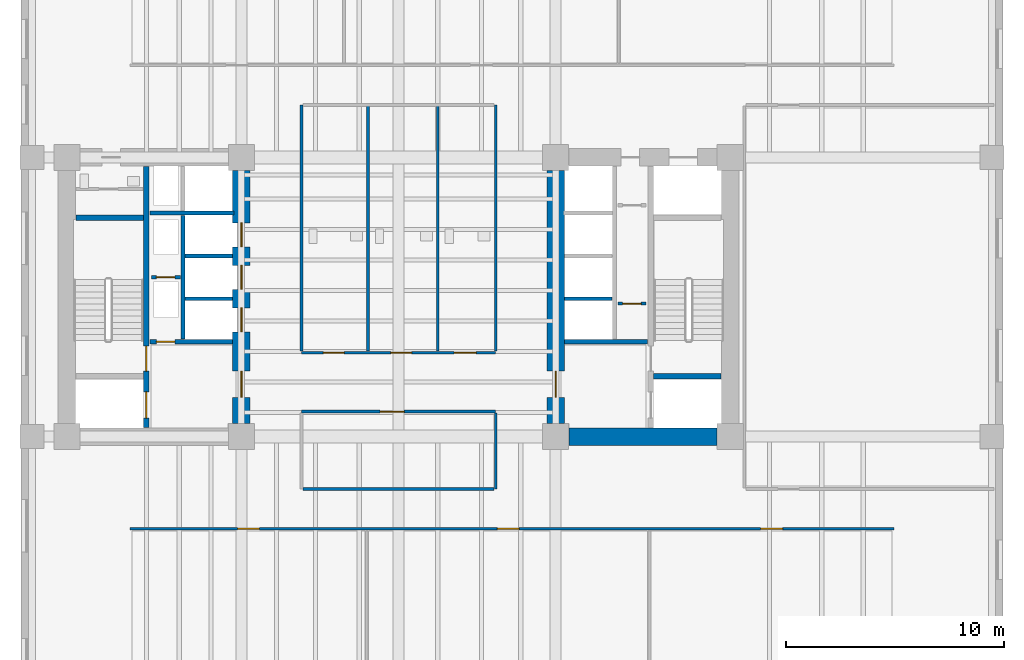
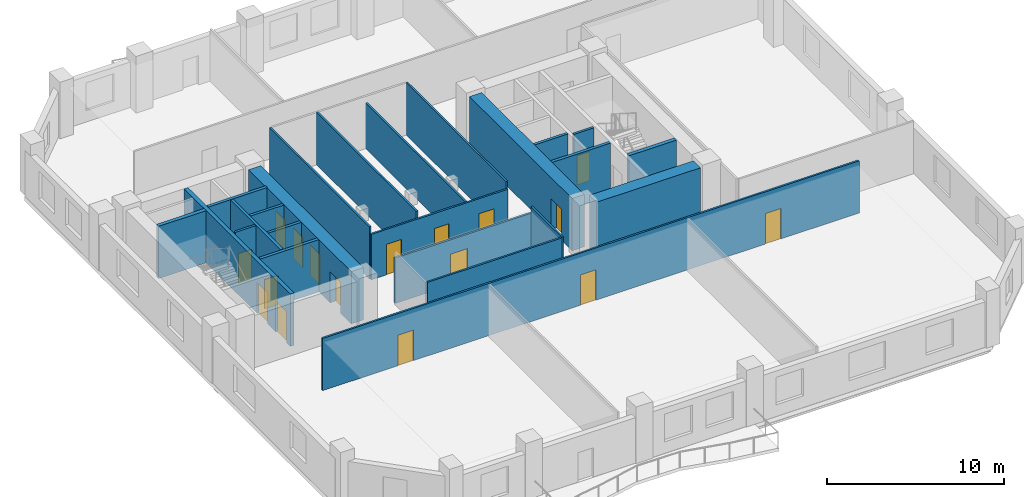
# One storey, part 3 of 9: 24 walls, 17 doors, 17 openings.
"""IFC4 building model written with IfcOpenShell, lengths in metres."""

from ifc_helpers import new_model, si_unit, direction, frame, frame_2d, origin, place, context, subcontext, project, spatial, rectangle, extrude, material, layer, layer_set, type_object, element, fill, save


model = new_model("IFC4")

# Units and contexts
model_context = context("Model", 3, precision=1e-05, world=origin(), true_north=direction((0.0, 1.0)))
body_context = subcontext(model_context, "Body", "Model", "MODEL_VIEW")
ifc_project = project(units=[si_unit("LENGTHUNIT", "METRE"), si_unit("AREAUNIT", "SQUARE_METRE"), si_unit("VOLUMEUNIT", "CUBIC_METRE"), si_unit("PLANEANGLEUNIT", "RADIAN"), si_unit("MASSUNIT", "GRAM", prefix="KILO")], contexts=[model_context])

# Site, building, storey
site_placement = place(None, origin())
site = spatial("IfcSite", under=ifc_project, at=site_placement, CompositionType="ELEMENT")
building_placement = place(site_placement, origin())
building = spatial("IfcBuilding", under=site, at=building_placement, Name="Kranthara Brick Stack", CompositionType="ELEMENT")
storey_placement = place(building_placement, frame((0.0, 0.0, 51.60009765625)))
storey = spatial("IfcBuildingStorey", under=building, at=storey_placement, Name="L12", CompositionType="ELEMENT", Elevation=51.60009765625)

# Wall, openings, doors
ifc_material_1 = material(Name="Concrete C50/60", Category="concrete")
ifc_layer_1 = layer(ifc_material_1, 0.25)
ifc_layer_set_1 = layer_set([ifc_layer_1], Name="Concrete C50/60")
wall_type_1 = type_object("IfcWallType", Name="WL-CORE-250", PredefinedType="SHEAR", material=ifc_layer_set_1)
wall_1_placement = place(storey_placement, frame((16.43505859375, 21.2099609375, 0.0), z_axis=(0.0, 0.0, 1.0), x_axis=(0.0, 1.0, 0.0)))
wall_1 = element("IfcWall", 1, at=wall_1_placement, inside=storey, type_object=wall_type_1, Name="L12 West Core Stair Bearing Spine Wall", PredefinedType="SHEAR", context=body_context, shape_type="SweptSolid", body=[
    extrude(rectangle(XDim=11.97998046875, YDim=0.25, at=frame_2d((5.989990234375, 0.0))), origin(), (0.0, 0.0, 1.0), 3.599853515625),
])
opening_1_placement = place(wall_1_placement, frame((0.43994140625, 0.0, 0.0)))
opening_1 = element("IfcOpeningElement", 2, at=opening_1_placement, cuts=wall_1, Name="Opening LD01", PredefinedType="OPENING", context=body_context, shape_type="SweptSolid", body=[
    extrude(rectangle(XDim=1.199951171875, YDim=2.14990234375, at=frame_2d((0.60009765625, 1.074951171875))), frame((0.0, 0.135009765625, 0.0), z_axis=(0.0, -1.0, 0.0), x_axis=(1.0, 0.0, 0.0)), (0.0, 0.0, 1.0), 0.27001953125),
])
opening_2_placement = place(wall_1_placement, frame((2.590087890625, 0.0, 0.0)))
opening_2 = element("IfcOpeningElement", 3, at=opening_2_placement, cuts=wall_1, Name="Opening D05", PredefinedType="OPENING", context=body_context, shape_type="SweptSolid", body=[
    extrude(rectangle(XDim=1.14990234375, YDim=2.14990234375, at=frame_2d((0.574951171875, 1.074951171875))), frame((0.0, 0.135009765625, 0.0), z_axis=(0.0, -1.0, 0.0), x_axis=(1.0, 0.0, 0.0)), (0.0, 0.0, 1.0), 0.27001953125),
])
ifc_material_2 = material(Name="Stainless steel sliding landing door", Category="steel")
door_type_1 = type_object("IfcDoorType", Name="DR-LD-FF1200", OperationType="DOUBLE_DOOR_SLIDING", PredefinedType="DOOR", material=ifc_material_2)
door_1_placement = place(opening_1_placement, origin())
door_1 = element("IfcDoor", 4, at=door_1_placement, inside=storey, type_object=door_type_1, Name="L12 Firefighting Lift FF-01 Landing Door", OperationType="DOUBLE_DOOR_SLIDING", OverallHeight=2.14990234375, OverallWidth=1.199951171875, PredefinedType="DOOR", context=body_context, shape_type="SweptSolid", body=[
    extrude(rectangle(XDim=1.199951171875, YDim=2.14990234375, at=frame_2d((0.60009765625, 1.074951171875))), frame((0.0, 0.02490234375, 0.0), z_axis=(0.0, -1.0, 0.0), x_axis=(1.0, 0.0, 0.0)), (0.0, 0.0, 1.0), 0.050048828125),
])
fill(opening_1, door_1)
ifc_material_3 = material(Name="Solid-core hardwood timber leaf in steel frame", Category="steel")
door_type_2 = type_object("IfcDoorType", Name="DR-ST-1150", OperationType="NOTDEFINED", PredefinedType="DOOR", material=ifc_material_3)
door_2_placement = place(opening_2_placement, origin())
door_2 = element("IfcDoor", 5, at=door_2_placement, inside=storey, type_object=door_type_2, Name="L12 Exit Stair ST01 Door", OperationType="SINGLE_SWING_RIGHT", OverallHeight=2.14990234375, OverallWidth=1.14990234375, PredefinedType="DOOR", context=body_context, shape_type="SweptSolid", body=[
    extrude(rectangle(XDim=1.14990234375, YDim=2.14990234375, at=frame_2d((0.574951171875, 1.074951171875))), frame((0.0, 0.02490234375, 0.0), z_axis=(0.0, -1.0, 0.0), x_axis=(1.0, 0.0, 0.0)), (0.0, 0.0, 1.0), 0.050048828125),
])
fill(opening_2, door_2)

# Walls
for number, where, z_axis, x_axis, name in (
    (6, (13.2099609375, 30.830078125, 0.0), (0.0, 0.0, 1.0), (1.0, 0.0, 0.0), "L12 West Stairwell Bearing Wall WST"),
    (7, (39.68994140625, 23.570068359375, 0.0), (0.0, 0.0, 1.0), (1.0, 0.0, 0.0), "L12 East Stairwell Bearing Wall EFF"),
):
    element("IfcWall", number, at=place(storey_placement, frame(where, z_axis=z_axis, x_axis=x_axis)), inside=storey, type_object=wall_type_1, Name=name, PredefinedType="SHEAR", context=body_context, shape_type="SweptSolid", body=[
        extrude(rectangle(XDim=3.10009765625, YDim=0.25, at=frame_2d((1.550048828125, 0.0))), origin(), (0.0, 0.0, 1.0), 3.599853515625),
    ])

# Wall, openings, doors
ifc_material_4 = material(Name="Concrete C70/85", Category="concrete")
ifc_layer_2 = layer(ifc_material_4, 0.800048828125)
ifc_layer_set_2 = layer_set([ifc_layer_2], Name="Concrete C70/85")
wall_type_2 = type_object("IfcWallType", Name="WL-CORE-800", PredefinedType="SHEAR", material=ifc_layer_set_2)
wall_2_placement = place(storey_placement, frame((20.800048828125, 21.405029296875, 0.0), z_axis=(0.0, 0.0, 1.0), x_axis=(0.0, 1.0, 0.0)))
wall_2 = element("IfcWall", 8, at=wall_2_placement, inside=storey, type_object=wall_type_2, Name="L12 West Core Shear Wall East", PredefinedType="SHEAR", context=body_context, shape_type="SweptSolid", body=[
    extrude(rectangle(XDim=11.590087890625, YDim=0.800048828125, at=frame_2d((5.794921875, 0.0))), origin(), (0.0, 0.0, 1.0), 3.599853515625),
])
opening_3_placement = place(wall_2_placement, frame((1.195068359375, 0.0, 0.0)))
opening_3 = element("IfcOpeningElement", 9, at=opening_3_placement, cuts=wall_2, Name="Opening D06", PredefinedType="OPENING", context=body_context, shape_type="SweptSolid", body=[
    extrude(rectangle(XDim=1.199951171875, YDim=2.14990234375, at=frame_2d((0.60009765625, 1.074951171875))), frame((0.0, 0.409912109375, 0.0), z_axis=(0.0, -1.0, 0.0), x_axis=(1.0, 0.0, 0.0)), (0.0, 0.0, 1.0), 0.820068359375),
])
opening_4_placement = place(wall_2_placement, frame((4.195068359375, 0.0, 0.0)))
opening_4 = element("IfcOpeningElement", 10, at=opening_4_placement, cuts=wall_2, Name="Opening LD02", PredefinedType="OPENING", context=body_context, shape_type="SweptSolid", body=[
    extrude(rectangle(XDim=1.10009765625, YDim=2.10009765625, at=frame_2d((0.550048828125, 1.050048828125))), frame((0.0, 0.409912109375, 0.0), z_axis=(0.0, -1.0, 0.0), x_axis=(1.0, 0.0, 0.0)), (0.0, 0.0, 1.0), 0.820068359375),
])
opening_5_placement = place(wall_2_placement, frame((6.14501953125, 0.0, 0.0)))
opening_5 = element("IfcOpeningElement", 11, at=opening_5_placement, cuts=wall_2, Name="Opening LD02", PredefinedType="OPENING", context=body_context, shape_type="SweptSolid", body=[
    extrude(rectangle(XDim=1.10009765625, YDim=2.10009765625, at=frame_2d((0.550048828125, 1.050048828125))), frame((0.0, 0.409912109375, 0.0), z_axis=(0.0, -1.0, 0.0), x_axis=(1.0, 0.0, 0.0)), (0.0, 0.0, 1.0), 0.820068359375),
])
opening_6_placement = place(wall_2_placement, frame((8.094970703125, 0.0, 0.0)))
opening_6 = element("IfcOpeningElement", 12, at=opening_6_placement, cuts=wall_2, Name="Opening LD02", PredefinedType="OPENING", context=body_context, shape_type="SweptSolid", body=[
    extrude(rectangle(XDim=1.10009765625, YDim=2.10009765625, at=frame_2d((0.550048828125, 1.050048828125))), frame((0.0, 0.409912109375, 0.0), z_axis=(0.0, -1.0, 0.0), x_axis=(1.0, 0.0, 0.0)), (0.0, 0.0, 1.0), 0.820068359375),
])
ifc_material_5 = material(Name="Solid-core hardwood timber leaf in steel frame", Category="steel")
door_type_3 = type_object("IfcDoorType", Name="DR-FFL-1200", OperationType="NOTDEFINED", PredefinedType="DOOR", material=ifc_material_5)
door_3_placement = place(opening_3_placement, origin())
door_3 = element("IfcDoor", 13, at=door_3_placement, inside=storey, type_object=door_type_3, Name="L12 West Firefighting Lobby Door", OperationType="SINGLE_SWING_LEFT", OverallHeight=2.14990234375, OverallWidth=1.199951171875, PredefinedType="DOOR", context=body_context, shape_type="SweptSolid", body=[
    extrude(rectangle(XDim=1.199951171875, YDim=2.14990234375, at=frame_2d((0.60009765625, 1.074951171875))), frame((0.0, 0.02490234375, 0.0), z_axis=(0.0, -1.0, 0.0), x_axis=(1.0, 0.0, 0.0)), (0.0, 0.0, 1.0), 0.050048828125),
])
fill(opening_3, door_3)
ifc_material_6 = material(Name="Stainless steel sliding landing door", Category="steel")
door_type_4 = type_object("IfcDoorType", Name="DR-LD-PL1100", OperationType="DOUBLE_DOOR_SLIDING", PredefinedType="DOOR", material=ifc_material_6)
door_4_placement = place(opening_4_placement, origin())
door_4 = element("IfcDoor", 14, at=door_4_placement, inside=storey, type_object=door_type_4, Name="L12 PL-01 Lift Landing Door", OperationType="DOUBLE_DOOR_SLIDING", OverallHeight=2.10009765625, OverallWidth=1.10009765625, PredefinedType="DOOR", context=body_context, shape_type="SweptSolid", body=[
    extrude(rectangle(XDim=1.10009765625, YDim=2.10009765625, at=frame_2d((0.550048828125, 1.050048828125))), frame((0.0, 0.02490234375, 0.0), z_axis=(0.0, -1.0, 0.0), x_axis=(1.0, 0.0, 0.0)), (0.0, 0.0, 1.0), 0.050048828125),
])
fill(opening_4, door_4)
door_5_placement = place(opening_5_placement, origin())
door_5 = element("IfcDoor", 15, at=door_5_placement, inside=storey, type_object=door_type_4, Name="L12 PL-02 Lift Landing Door", OperationType="DOUBLE_DOOR_SLIDING", OverallHeight=2.10009765625, OverallWidth=1.10009765625, PredefinedType="DOOR", context=body_context, shape_type="SweptSolid", body=[
    extrude(rectangle(XDim=1.10009765625, YDim=2.10009765625, at=frame_2d((0.550048828125, 1.050048828125))), frame((0.0, 0.02490234375, 0.0), z_axis=(0.0, -1.0, 0.0), x_axis=(1.0, 0.0, 0.0)), (0.0, 0.0, 1.0), 0.050048828125),
])
fill(opening_5, door_5)
door_6_placement = place(opening_6_placement, origin())
door_6 = element("IfcDoor", 16, at=door_6_placement, inside=storey, type_object=door_type_4, Name="L12 PL-03 Lift Landing Door", OperationType="DOUBLE_DOOR_SLIDING", OverallHeight=2.10009765625, OverallWidth=1.10009765625, PredefinedType="DOOR", context=body_context, shape_type="SweptSolid", body=[
    extrude(rectangle(XDim=1.10009765625, YDim=2.10009765625, at=frame_2d((0.550048828125, 1.050048828125))), frame((0.0, 0.02490234375, 0.0), z_axis=(0.0, -1.0, 0.0), x_axis=(1.0, 0.0, 0.0)), (0.0, 0.0, 1.0), 0.050048828125),
])
fill(opening_6, door_6)

# Wall
wall_3_placement = place(storey_placement, frame((35.804931640625, 20.800048828125, 0.0), z_axis=(0.0, 0.0, 1.0), x_axis=(1.0, 0.0, 0.0)))
element("IfcWall", 17, at=wall_3_placement, inside=storey, type_object=wall_type_2, Name="L12 East Core Shear Wall South", PredefinedType="SHEAR", context=body_context, shape_type="SweptSolid", body=[
    extrude(rectangle(XDim=6.7900390625, YDim=0.800048828125, at=frame_2d((3.39501953125, 0.0))), origin(), (0.0, 0.0, 1.0), 3.599853515625),
])

# Wall, opening, door
wall_4_placement = place(storey_placement, frame((35.199951171875, 21.405029296875, 0.0), z_axis=(0.0, 0.0, 1.0), x_axis=(0.0, 1.0, 0.0)))
wall_4 = element("IfcWall", 18, at=wall_4_placement, inside=storey, type_object=wall_type_2, Name="L12 East Core Shear Wall West", PredefinedType="SHEAR", context=body_context, shape_type="SweptSolid", body=[
    extrude(rectangle(XDim=11.590087890625, YDim=0.800048828125, at=frame_2d((5.794921875, 0.0))), origin(), (0.0, 0.0, 1.0), 3.599853515625),
])
opening_7_placement = place(wall_4_placement, frame((1.195068359375, 0.0, 0.0)))
opening_7 = element("IfcOpeningElement", 19, at=opening_7_placement, cuts=wall_4, Name="Opening D06", PredefinedType="OPENING", context=body_context, shape_type="SweptSolid", body=[
    extrude(rectangle(XDim=1.199951171875, YDim=2.14990234375, at=frame_2d((0.60009765625, 1.074951171875))), frame((0.0, 0.409912109375, 0.0), z_axis=(0.0, -1.0, 0.0), x_axis=(1.0, 0.0, 0.0)), (0.0, 0.0, 1.0), 0.820068359375),
])
door_7_placement = place(opening_7_placement, origin())
door_7 = element("IfcDoor", 20, at=door_7_placement, inside=storey, type_object=door_type_3, Name="L12 East Firefighting Lobby Door", OperationType="SINGLE_SWING_RIGHT", OverallHeight=2.14990234375, OverallWidth=1.199951171875, PredefinedType="DOOR", context=body_context, shape_type="SweptSolid", body=[
    extrude(rectangle(XDim=1.199951171875, YDim=2.14990234375, at=frame_2d((0.60009765625, 1.074951171875))), frame((0.0, 0.02490234375, 0.0), z_axis=(0.0, -1.0, 0.0), x_axis=(1.0, 0.0, 0.0)), (0.0, 0.0, 1.0), 0.050048828125),
])
fill(opening_7, door_7)

# Wall, openings, doors
ifc_material_7 = material(Name="Acoustic gypsum plasterboard partition", Category="other")
ifc_layer_3 = layer(ifc_material_7, 0.1201171875)
ifc_layer_set_3 = layer_set([ifc_layer_3], Name="Acoustic gypsum plasterboard partition")
wall_type_3 = type_object("IfcWallType", Name="WL-PART-120", PredefinedType="PARTITIONING", material=ifc_layer_set_3)
wall_5_placement = place(storey_placement, frame((23.550048828125, 24.64990234375, 0.0), z_axis=(0.0, 0.0, 1.0), x_axis=(1.0, 0.0, 0.0)))
wall_5 = element("IfcWall", 21, at=wall_5_placement, inside=storey, type_object=wall_type_3, Name="L12 Interior Partition 005", PredefinedType="PARTITIONING", context=body_context, shape_type="SweptSolid", body=[
    extrude(rectangle(XDim=8.89990234375, YDim=0.1201171875, at=frame_2d((4.449951171875, 0.0))), origin(), (0.0, 0.0, 1.0), 3.135009765625),
])
opening_8_placement = place(wall_5_placement, frame((1.0, 0.0, 0.0)))
opening_8 = element("IfcOpeningElement", 22, at=opening_8_placement, cuts=wall_5, Name="Opening D14", PredefinedType="OPENING", context=body_context, shape_type="SweptSolid", body=[
    extrude(rectangle(XDim=0.949951171875, YDim=2.10009765625, at=frame_2d((0.47509765625, 1.050048828125))), frame((0.0, 0.070068359375, 0.0), z_axis=(0.0, -1.0, 0.0), x_axis=(1.0, 0.0, 0.0)), (0.0, 0.0, 1.0), 0.14013671875),
])
opening_9_placement = place(wall_5_placement, frame((4.10009765625, 0.0, 0.0)))
opening_9 = element("IfcOpeningElement", 23, at=opening_9_placement, cuts=wall_5, Name="Opening D14", PredefinedType="OPENING", context=body_context, shape_type="SweptSolid", body=[
    extrude(rectangle(XDim=0.949951171875, YDim=2.10009765625, at=frame_2d((0.47509765625, 1.050048828125))), frame((0.0, 0.070068359375, 0.0), z_axis=(0.0, -1.0, 0.0), x_axis=(1.0, 0.0, 0.0)), (0.0, 0.0, 1.0), 0.14013671875),
])
opening_10_placement = place(wall_5_placement, frame((7.0, 0.0, 0.0)))
opening_10 = element("IfcOpeningElement", 24, at=opening_10_placement, cuts=wall_5, Name="Opening D18", PredefinedType="OPENING", context=body_context, shape_type="SweptSolid", body=[
    extrude(rectangle(XDim=1.0, YDim=2.10009765625, at=frame_2d((0.5, 1.050048828125))), frame((0.0, 0.070068359375, 0.0), z_axis=(0.0, -1.0, 0.0), x_axis=(1.0, 0.0, 0.0)), (0.0, 0.0, 1.0), 0.14013671875),
])
ifc_material_8 = material(Name="Solid-core hardwood timber leaf in steel frame", Category="steel")
door_type_5 = type_object("IfcDoorType", Name="DR-ACC-1000", OperationType="NOTDEFINED", PredefinedType="DOOR", material=ifc_material_8)
door_8_placement = place(opening_10_placement, origin())
door_8 = element("IfcDoor", 25, at=door_8_placement, inside=storey, type_object=door_type_5, Name="L12 Accessible WC Door 07", OperationType="SINGLE_SWING_LEFT", OverallHeight=2.10009765625, OverallWidth=1.0, PredefinedType="DOOR", context=body_context, shape_type="SweptSolid", body=[
    extrude(rectangle(XDim=1.0, YDim=2.10009765625, at=frame_2d((0.5, 1.050048828125))), frame((0.0, 0.02490234375, 0.0), z_axis=(0.0, -1.0, 0.0), x_axis=(1.0, 0.0, 0.0)), (0.0, 0.0, 1.0), 0.050048828125),
])
fill(opening_10, door_8)
ifc_material_9 = material(Name="Solid-core hardwood timber leaf in steel frame", Category="steel")
door_type_6 = type_object("IfcDoorType", Name="DR-INT-950", OperationType="NOTDEFINED", PredefinedType="DOOR", material=ifc_material_9)
door_9_placement = place(opening_8_placement, origin())
door_9 = element("IfcDoor", 26, at=door_9_placement, inside=storey, type_object=door_type_6, Name="L12 Male WC Door 05", OperationType="SINGLE_SWING_LEFT", OverallHeight=2.10009765625, OverallWidth=0.949951171875, PredefinedType="DOOR", context=body_context, shape_type="SweptSolid", body=[
    extrude(rectangle(XDim=0.949951171875, YDim=2.10009765625, at=frame_2d((0.47509765625, 1.050048828125))), frame((0.0, 0.02490234375, 0.0), z_axis=(0.0, -1.0, 0.0), x_axis=(1.0, 0.0, 0.0)), (0.0, 0.0, 1.0), 0.050048828125),
])
fill(opening_8, door_9)
door_10_placement = place(opening_9_placement, origin())
door_10 = element("IfcDoor", 27, at=door_10_placement, inside=storey, type_object=door_type_6, Name="L12 Female WC Door 06", OperationType="SINGLE_SWING_RIGHT", OverallHeight=2.10009765625, OverallWidth=0.949951171875, PredefinedType="DOOR", context=body_context, shape_type="SweptSolid", body=[
    extrude(rectangle(XDim=0.949951171875, YDim=2.10009765625, at=frame_2d((0.47509765625, 1.050048828125))), frame((0.0, 0.02490234375, 0.0), z_axis=(0.0, -1.0, 0.0), x_axis=(1.0, 0.0, 0.0)), (0.0, 0.0, 1.0), 0.050048828125),
])
fill(opening_9, door_10)

# Walls
for number, where, z_axis, x_axis, name in (
    (28, (23.550048828125, 24.715087890625, 0.0), (0.0, 0.0, 1.0), (0.0, 1.0, 0.0), "L12 Interior Partition 006"),
    (29, (32.449951171875, 24.715087890625, 0.0), (0.0, 0.0, 1.0), (0.0, 1.0, 0.0), "L12 Interior Partition 007"),
    (30, (26.60009765625, 24.715087890625, 0.0), (0.0, 0.0, 1.0), (0.0, 1.0, 0.0), "L12 Interior Partition 008"),
):
    element("IfcWall", number, at=place(storey_placement, frame(where, z_axis=z_axis, x_axis=x_axis)), inside=storey, type_object=wall_type_3, Name=name, PredefinedType="PARTITIONING", context=body_context, shape_type="SweptSolid", body=[
        extrude(rectangle(XDim=11.284912109375, YDim=0.1201171875, at=frame_2d((5.642578125, 0.0))), origin(), (0.0, 0.0, 1.0), 3.599853515625),
    ])
wall_6_placement = place(storey_placement, frame((29.800048828125, 24.715087890625, 0.0), z_axis=(0.0, 0.0, 1.0), x_axis=(0.0, 1.0, 0.0)))
element("IfcWall", 31, at=wall_6_placement, inside=storey, type_object=wall_type_3, Name="L12 Interior Partition 009", PredefinedType="PARTITIONING", context=body_context, shape_type="SweptSolid", body=[
    extrude(rectangle(XDim=11.284912109375, YDim=0.1201171875, at=frame_2d((5.642578125, 0.0))), origin(), (0.0, 0.0, 1.0), 3.135009765625),
])

# Wall, opening, door
wall_7_placement = place(storey_placement, frame((23.550048828125, 21.949951171875, 0.0), z_axis=(0.0, 0.0, 1.0), x_axis=(1.0, 0.0, 0.0)))
wall_7 = element("IfcWall", 32, at=wall_7_placement, inside=storey, type_object=wall_type_3, Name="L12 Interior Partition 011", PredefinedType="PARTITIONING", context=body_context, shape_type="SweptSolid", body=[
    extrude(rectangle(XDim=8.89990234375, YDim=0.1201171875, at=frame_2d((4.449951171875, 0.0))), origin(), (0.0, 0.0, 1.0), 3.135009765625),
])
opening_11_placement = place(wall_7_placement, frame((3.60009765625, 0.0, 0.0)))
opening_11 = element("IfcOpeningElement", 33, at=opening_11_placement, cuts=wall_7, Name="Opening D11", PredefinedType="OPENING", context=body_context, shape_type="SweptSolid", body=[
    extrude(rectangle(XDim=1.10009765625, YDim=2.14990234375, at=frame_2d((0.550048828125, 1.074951171875))), frame((0.0, 0.070068359375, 0.0), z_axis=(0.0, -1.0, 0.0), x_axis=(1.0, 0.0, 0.0)), (0.0, 0.0, 1.0), 0.14013671875),
])
ifc_material_10 = material(Name="Solid-core hardwood timber leaf in steel frame", Category="steel")
door_type_7 = type_object("IfcDoorType", Name="DR-INT-1100", OperationType="NOTDEFINED", PredefinedType="DOOR", material=ifc_material_10)
door_11_placement = place(opening_11_placement, origin())
door_11 = element("IfcDoor", 34, at=door_11_placement, inside=storey, type_object=door_type_7, Name="L12 Internal Briefing Room 08", OperationType="SINGLE_SWING_RIGHT", OverallHeight=2.14990234375, OverallWidth=1.10009765625, PredefinedType="DOOR", context=body_context, shape_type="SweptSolid", body=[
    extrude(rectangle(XDim=1.10009765625, YDim=2.14990234375, at=frame_2d((0.550048828125, 1.074951171875))), frame((0.0, 0.02490234375, 0.0), z_axis=(0.0, -1.0, 0.0), x_axis=(1.0, 0.0, 0.0)), (0.0, 0.0, 1.0), 0.050048828125),
])
fill(opening_11, door_11)

# Walls
wall_8_placement = place(storey_placement, frame((32.449951171875, 18.39990234375, 0.0), z_axis=(0.0, 0.0, 1.0), x_axis=(0.0, 1.0, 0.0)))
element("IfcWall", 35, at=wall_8_placement, inside=storey, type_object=wall_type_3, Name="L12 Interior Partition 013", PredefinedType="PARTITIONING", context=body_context, shape_type="SweptSolid", body=[
    extrude(rectangle(XDim=3.485107421875, YDim=0.1201171875, at=frame_2d((1.74267578125, 0.0))), origin(), (0.0, 0.0, 1.0), 3.599853515625),
])
wall_9_placement = place(storey_placement, frame((23.614990234375, 18.39990234375, 0.0), z_axis=(0.0, 0.0, 1.0), x_axis=(1.0, 0.0, 0.0)))
element("IfcWall", 36, at=wall_9_placement, inside=storey, type_object=wall_type_3, Name="L12 Interior Partition 014", PredefinedType="PARTITIONING", context=body_context, shape_type="SweptSolid", body=[
    extrude(rectangle(XDim=8.77001953125, YDim=0.1201171875, at=frame_2d((4.385009765625, 0.0))), origin(), (0.0, 0.0, 1.0), 3.599853515625),
])

# Wall, openings, doors
wall_10_placement = place(storey_placement, frame((15.699951171875, 16.580078125, 0.0), z_axis=(0.0, 0.0, 1.0), x_axis=(1.0, 0.0, 0.0)))
wall_10 = element("IfcWall", 37, at=wall_10_placement, inside=storey, type_object=wall_type_3, Name="L12 Interior Partition 015", PredefinedType="PARTITIONING", context=body_context, shape_type="SweptSolid", body=[
    extrude(rectangle(XDim=35.0, YDim=0.1201171875, at=frame_2d((17.5, 0.0))), origin(), (0.0, 0.0, 1.0), 3.599853515625),
])
opening_12_placement = place(wall_10_placement, frame((4.925048828125, 0.0, 0.0)))
opening_12 = element("IfcOpeningElement", 38, at=opening_12_placement, cuts=wall_10, Name="Opening D13", PredefinedType="OPENING", context=body_context, shape_type="SweptSolid", body=[
    extrude(rectangle(XDim=1.0, YDim=2.10009765625, at=frame_2d((0.5, 1.050048828125))), frame((0.0, 0.070068359375, 0.0), z_axis=(0.0, -1.0, 0.0), x_axis=(1.0, 0.0, 0.0)), (0.0, 0.0, 1.0), 0.14013671875),
])
opening_13_placement = place(wall_10_placement, frame((16.824951171875, 0.0, 0.0)))
opening_13 = element("IfcOpeningElement", 39, at=opening_13_placement, cuts=wall_10, Name="Opening D13", PredefinedType="OPENING", context=body_context, shape_type="SweptSolid", body=[
    extrude(rectangle(XDim=1.0, YDim=2.10009765625, at=frame_2d((0.5, 1.050048828125))), frame((0.0, 0.070068359375, 0.0), z_axis=(0.0, -1.0, 0.0), x_axis=(1.0, 0.0, 0.0)), (0.0, 0.0, 1.0), 0.14013671875),
])
opening_14_placement = place(wall_10_placement, frame((28.89990234375, 0.0, 0.0)))
opening_14 = element("IfcOpeningElement", 40, at=opening_14_placement, cuts=wall_10, Name="Opening D13", PredefinedType="OPENING", context=body_context, shape_type="SweptSolid", body=[
    extrude(rectangle(XDim=1.0, YDim=2.10009765625, at=frame_2d((0.5, 1.050048828125))), frame((0.0, 0.070068359375, 0.0), z_axis=(0.0, -1.0, 0.0), x_axis=(1.0, 0.0, 0.0)), (0.0, 0.0, 1.0), 0.14013671875),
])
ifc_material_11 = material(Name="Solid-core hardwood timber leaf in steel frame", Category="steel")
door_type_8 = type_object("IfcDoorType", Name="DR-INT-1000", OperationType="NOTDEFINED", PredefinedType="DOOR", material=ifc_material_11)
door_12_placement = place(opening_12_placement, origin())
door_12 = element("IfcDoor", 41, at=door_12_placement, inside=storey, type_object=door_type_8, Name="L12 Open Plan Workspace 09", OperationType="SINGLE_SWING_LEFT", OverallHeight=2.10009765625, OverallWidth=1.0, PredefinedType="DOOR", context=body_context, shape_type="SweptSolid", body=[
    extrude(rectangle(XDim=1.0, YDim=2.10009765625, at=frame_2d((0.5, 1.050048828125))), frame((0.0, 0.02490234375, 0.0), z_axis=(0.0, -1.0, 0.0), x_axis=(1.0, 0.0, 0.0)), (0.0, 0.0, 1.0), 0.050048828125),
])
fill(opening_12, door_12)
door_13_placement = place(opening_13_placement, origin())
door_13 = element("IfcDoor", 42, at=door_13_placement, inside=storey, type_object=door_type_8, Name="L12 Boardroom 10", OperationType="SINGLE_SWING_RIGHT", OverallHeight=2.10009765625, OverallWidth=1.0, PredefinedType="DOOR", context=body_context, shape_type="SweptSolid", body=[
    extrude(rectangle(XDim=1.0, YDim=2.10009765625, at=frame_2d((0.5, 1.050048828125))), frame((0.0, 0.02490234375, 0.0), z_axis=(0.0, -1.0, 0.0), x_axis=(1.0, 0.0, 0.0)), (0.0, 0.0, 1.0), 0.050048828125),
])
fill(opening_13, door_13)
door_14_placement = place(opening_14_placement, origin())
door_14 = element("IfcDoor", 43, at=door_14_placement, inside=storey, type_object=door_type_8, Name="L12 Staff Pantry 11", OperationType="SINGLE_SWING_LEFT", OverallHeight=2.10009765625, OverallWidth=1.0, PredefinedType="DOOR", context=body_context, shape_type="SweptSolid", body=[
    extrude(rectangle(XDim=1.0, YDim=2.10009765625, at=frame_2d((0.5, 1.050048828125))), frame((0.0, 0.02490234375, 0.0), z_axis=(0.0, -1.0, 0.0), x_axis=(1.0, 0.0, 0.0)), (0.0, 0.0, 1.0), 0.050048828125),
])
fill(opening_14, door_14)

# Wall, opening, door
ifc_material_12 = material(Name="Fire-rated gypsum board partition", Category="other")
ifc_layer_4 = layer(ifc_material_12, 0.14990234375)
ifc_layer_set_4 = layer_set([ifc_layer_4], Name="Fire-rated gypsum board partition")
wall_type_4 = type_object("IfcWallType", Name="WL-PART-150", PredefinedType="PARTITIONING", material=ifc_layer_set_4)
wall_11_placement = place(storey_placement, frame((38.050048828125, 26.89990234375, 0.0), z_axis=(0.0, 0.0, 1.0), x_axis=(1.0, 0.0, 0.0)))
wall_11 = element("IfcWall", 44, at=wall_11_placement, inside=storey, type_object=wall_type_4, Name="L12 Interior Partition 002", PredefinedType="PARTITIONING", context=body_context, shape_type="SweptSolid", body=[
    extrude(rectangle(XDim=1.300048828125, YDim=0.14990234375, at=frame_2d((0.64990234375, 0.0))), origin(), (0.0, 0.0, 1.0), 3.599853515625),
])
opening_15_placement = place(wall_11_placement, frame((0.219970703125, 0.0, 0.0)))
opening_15 = element("IfcOpeningElement", 45, at=opening_15_placement, cuts=wall_11, Name="Opening D10", PredefinedType="OPENING", context=body_context, shape_type="SweptSolid", body=[
    extrude(rectangle(XDim=0.85009765625, YDim=2.02001953125, at=frame_2d((0.425048828125, 1.010009765625))), frame((0.0, 0.0849609375, 0.0), z_axis=(0.0, -1.0, 0.0), x_axis=(1.0, 0.0, 0.0)), (0.0, 0.0, 1.0), 0.169921875),
])
ifc_material_13 = material(Name="Solid-core hardwood timber leaf in steel frame", Category="steel")
door_type_9 = type_object("IfcDoorType", Name="DR-RSR-850", OperationType="NOTDEFINED", PredefinedType="DOOR", material=ifc_material_13)
door_15_placement = place(opening_15_placement, origin())
door_15 = element("IfcDoor", 46, at=door_15_placement, inside=storey, type_object=door_type_9, Name="L12 East Valve Door 02", OperationType="SINGLE_SWING_RIGHT", OverallHeight=2.02001953125, OverallWidth=0.85009765625, PredefinedType="DOOR", context=body_context, shape_type="SweptSolid", body=[
    extrude(rectangle(XDim=0.85009765625, YDim=2.02001953125, at=frame_2d((0.425048828125, 1.010009765625))), frame((0.0, 0.02490234375, 0.0), z_axis=(0.0, -1.0, 0.0), x_axis=(1.0, 0.0, 0.0)), (0.0, 0.0, 1.0), 0.050048828125),
])
fill(opening_15, door_15)

wall_12_placement = place(storey_placement, frame((16.679931640625, 28.10009765625, 0.0), z_axis=(0.0, 0.0, 1.0), x_axis=(1.0, 0.0, 0.0)))
wall_12 = element("IfcWall", 47, at=wall_12_placement, inside=storey, type_object=wall_type_4, Name="L12 Interior Partition 004", PredefinedType="PARTITIONING", context=body_context, shape_type="SweptSolid", body=[
    extrude(rectangle(XDim=1.320068359375, YDim=0.14990234375, at=frame_2d((0.66015625, 0.0))), origin(), (0.0, 0.0, 1.0), 3.599853515625),
])
opening_16_placement = place(wall_12_placement, frame((0.219970703125, 0.0, 0.0)))
opening_16 = element("IfcOpeningElement", 48, at=opening_16_placement, cuts=wall_12, Name="Opening D10", PredefinedType="OPENING", context=body_context, shape_type="SweptSolid", body=[
    extrude(rectangle(XDim=0.85009765625, YDim=2.02001953125, at=frame_2d((0.425048828125, 1.010009765625))), frame((0.0, 0.0849609375, 0.0), z_axis=(0.0, -1.0, 0.0), x_axis=(1.0, 0.0, 0.0)), (0.0, 0.0, 1.0), 0.169921875),
])
door_16_placement = place(opening_16_placement, origin())
door_16 = element("IfcDoor", 49, at=door_16_placement, inside=storey, type_object=door_type_9, Name="L12 Riser Split Door 04", OperationType="SINGLE_SWING_RIGHT", OverallHeight=2.02001953125, OverallWidth=0.85009765625, PredefinedType="DOOR", context=body_context, shape_type="SweptSolid", body=[
    extrude(rectangle(XDim=0.85009765625, YDim=2.02001953125, at=frame_2d((0.425048828125, 1.010009765625))), frame((0.0, 0.02490234375, 0.0), z_axis=(0.0, -1.0, 0.0), x_axis=(1.0, 0.0, 0.0)), (0.0, 0.0, 1.0), 0.050048828125),
])
fill(opening_16, door_16)

# Walls
ifc_material_14 = material(Name="Gypsum plasterboard on acoustic twin stud", Category="other")
ifc_layer_5 = layer(ifc_material_14, 0.179931640625)
ifc_layer_set_5 = layer_set([ifc_layer_5], Name="Gypsum plasterboard on acoustic twin stud")
wall_type_5 = type_object("IfcWallType", Name="WL-PART-180", PredefinedType="PARTITIONING", material=ifc_layer_set_5)
wall_13_placement = place(storey_placement, frame((18.1201171875, 25.27001953125, 0.0), z_axis=(0.0, 0.0, 1.0), x_axis=(0.0, 1.0, 0.0)))
element("IfcWall", 50, at=wall_13_placement, inside=storey, type_object=wall_type_5, Name="L12 West Hoistway Wall WBK", PredefinedType="PARTITIONING", context=body_context, shape_type="SweptSolid", body=[
    extrude(rectangle(XDim=5.659912109375, YDim=0.179931640625, at=frame_2d((2.830078125, 0.0))), origin(), (0.0, 0.0, 1.0), 3.599853515625),
])
for number, where, z_axis, x_axis, name in (
    (51, (18.219970703125, 27.1201171875, 0.0), (0.0, 0.0, 1.0), (1.0, 0.0, 0.0), "L12 West Hoistway Wall WH1"),
    (52, (18.219970703125, 29.080078125, 0.0), (0.0, 0.0, 1.0), (1.0, 0.0, 0.0), "L12 West Hoistway Wall WH2"),
    (53, (35.610107421875, 27.1201171875, 0.0), (0.0, 0.0, 1.0), (1.0, 0.0, 0.0), "L12 East Hoistway Wall EH1"),
):
    element("IfcWall", number, at=place(storey_placement, frame(where, z_axis=z_axis, x_axis=x_axis)), inside=storey, type_object=wall_type_5, Name=name, PredefinedType="PARTITIONING", context=body_context, shape_type="SweptSolid", body=[
        extrude(rectangle(XDim=2.169921875, YDim=0.179931640625, at=frame_2d((1.0849609375, 0.0))), origin(), (0.0, 0.0, 1.0), 3.599853515625),
    ])

# Wall, opening, door
ifc_material_15 = material(Name="Concrete C40/50", Category="concrete")
ifc_layer_6 = layer(ifc_material_15, 0.199951171875)
ifc_layer_set_6 = layer_set([ifc_layer_6], Name="Concrete C40/50")
wall_type_6 = type_object("IfcWallType", Name="WL-PART-200", PredefinedType="SOLIDWALL", material=ifc_layer_set_6)
wall_14_placement = place(storey_placement, frame((16.60009765625, 25.14990234375, 0.0), z_axis=(0.0, 0.0, 1.0), x_axis=(1.0, 0.0, 0.0)))
wall_14 = element("IfcWall", 54, at=wall_14_placement, inside=storey, type_object=wall_type_6, Name="L12 West Core Cross Wall WFL", PredefinedType="SOLIDWALL", context=body_context, shape_type="SweptSolid", body=[
    extrude(rectangle(XDim=3.789794921875, YDim=0.199951171875, at=frame_2d((1.89501953125, 0.0))), origin(), (0.0, 0.0, 1.0), 3.599853515625),
])
opening_17_placement = place(wall_14_placement, frame((0.300048828125, 0.0, 0.0)))
opening_17 = element("IfcOpeningElement", 55, at=opening_17_placement, cuts=wall_14, Name="Opening D10", PredefinedType="OPENING", context=body_context, shape_type="SweptSolid", body=[
    extrude(rectangle(XDim=0.85009765625, YDim=2.02001953125, at=frame_2d((0.425048828125, 1.010009765625))), frame((0.0, 0.10986328125, 0.0), z_axis=(0.0, -1.0, 0.0), x_axis=(1.0, 0.0, 0.0)), (0.0, 0.0, 1.0), 0.219970703125),
])
door_17_placement = place(opening_17_placement, origin())
door_17 = element("IfcDoor", 56, at=door_17_placement, inside=storey, type_object=door_type_9, Name="L12 Mechanical Riser Access Door", OperationType="SINGLE_SWING_LEFT", OverallHeight=2.02001953125, OverallWidth=0.85009765625, PredefinedType="DOOR", context=body_context, shape_type="SweptSolid", body=[
    extrude(rectangle(XDim=0.85009765625, YDim=2.02001953125, at=frame_2d((0.425048828125, 1.010009765625))), frame((0.0, 0.02490234375, 0.0), z_axis=(0.0, -1.0, 0.0), x_axis=(1.0, 0.0, 0.0)), (0.0, 0.0, 1.0), 0.050048828125),
])
fill(opening_17, door_17)

# Walls
wall_15_placement = place(storey_placement, frame((16.60009765625, 31.050048828125, 0.0), z_axis=(0.0, 0.0, 1.0), x_axis=(1.0, 0.0, 0.0)))
element("IfcWall", 57, at=wall_15_placement, inside=storey, type_object=wall_type_6, Name="L12 West Core Cross Wall WH4", PredefinedType="SOLIDWALL", context=body_context, shape_type="SweptSolid", body=[
    extrude(rectangle(XDim=3.849853515625, YDim=0.199951171875, at=frame_2d((1.9248046875, 0.0))), origin(), (0.0, 0.0, 1.0), 3.599853515625),
])
wall_16_placement = place(storey_placement, frame((35.610107421875, 25.14990234375, 0.0), z_axis=(0.0, 0.0, 1.0), x_axis=(1.0, 0.0, 0.0)))
element("IfcWall", 58, at=wall_16_placement, inside=storey, type_object=wall_type_6, Name="L12 East Core Cross Wall EFL", PredefinedType="SOLIDWALL", context=body_context, shape_type="SweptSolid", body=[
    extrude(rectangle(XDim=3.789794921875, YDim=0.199951171875, at=frame_2d((1.89501953125, 0.0))), origin(), (0.0, 0.0, 1.0), 3.599853515625),
])

save(model, "model.ifc")
